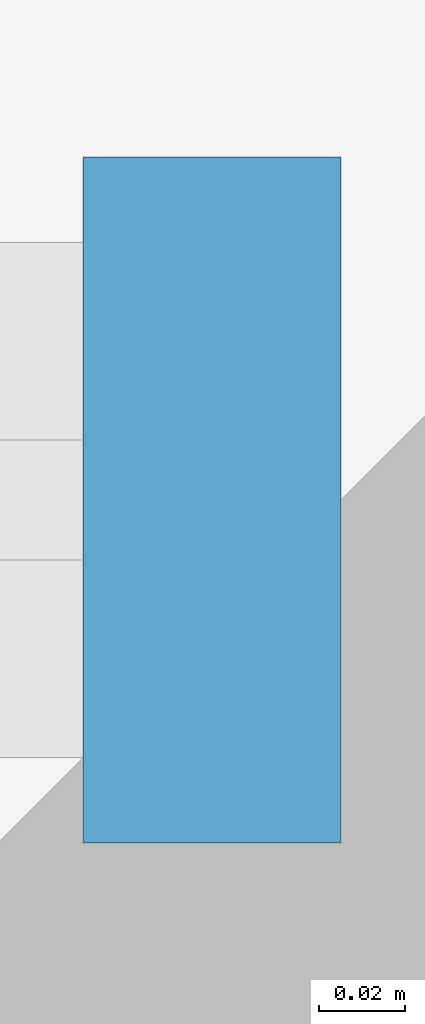
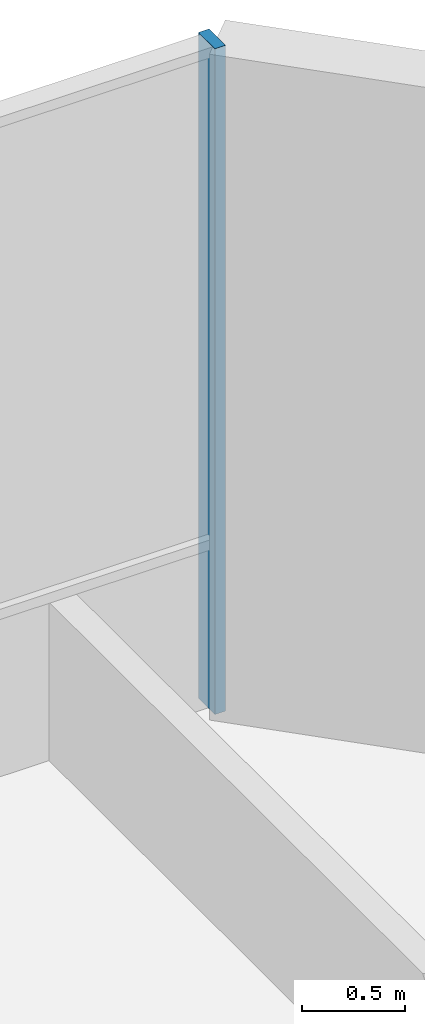
# One storey, part 5 of 13: 1 member, 1 element without a shape of its own.
"""IFC4 building model written with IfcOpenShell, lengths in metres."""

from ifc_helpers import new_model, si_unit, direction, frame, origin, origin_2d, place, context, subcontext, project, spatial, rectangle, extrude, material, material_profile, profile_set, type_object, element, aggregate, save


model = new_model("IFC4")

# Units and contexts
model_context = context("Model", 3, precision=1e-05, world=origin(), true_north=direction((0.0, 1.0)))
body_context = subcontext(model_context, "Body", "Model", "MODEL_VIEW")
ifc_project = project(units=[si_unit("LENGTHUNIT", "METRE"), si_unit("AREAUNIT", "SQUARE_METRE"), si_unit("VOLUMEUNIT", "CUBIC_METRE"), si_unit("PLANEANGLEUNIT", "RADIAN"), si_unit("MASSUNIT", "GRAM", prefix="KILO")], contexts=[model_context])

# Site, building, storey
site_placement = place(None, origin())
site = spatial("IfcSite", under=ifc_project, at=site_placement, CompositionType="ELEMENT")
building_placement = place(site_placement, origin())
building = spatial("IfcBuilding", under=site, at=building_placement, Name="Mangrove Gate Tower", CompositionType="ELEMENT")
storey_placement = place(building_placement, frame((0.0, 0.0, 20.5)))
storey = spatial("IfcBuildingStorey", under=building, at=storey_placement, Name="L04", CompositionType="ELEMENT", Elevation=20.5)

# Curtain wall, member
ifc_material_1 = material(Name="Aluminium and glass curtain wall", Category="aluminium")
curtain_wall_type = type_object("IfcCurtainWallType", Name="Podium amenity glazing wall", PredefinedType="NOTDEFINED", material=ifc_material_1)
curtain_wall_placement = place(storey_placement, origin())
curtain_wall = element("IfcCurtainWall", 1, at=curtain_wall_placement, inside=storey, type_object=curtain_wall_type, Name="Podium amenity glazing N3", PredefinedType="NOTDEFINED")
ifc_material_2 = material(Name="Aluminium alloy 6063-T6", Category="aluminium")
ifc_material_profile = material_profile(ifc_material_2, rectangle(XDim=0.06005859375, YDim=0.159912109375, at=origin_2d()))
ifc_profile_set = profile_set([ifc_material_profile], Name="Aluminium alloy 6063-T6")
member_type = type_object("IfcMemberType", Name="Podium amenity glazing mullion 60x160", PredefinedType="MULLION", material=ifc_profile_set)
member_placement = place(storey_placement, frame((28.10791015625, 30.85009765625, 0.0), z_axis=(0.0, 0.0, 1.0), x_axis=(-1.0, 0.0, 0.0)))
member = element("IfcMember", 2, at=member_placement, type_object=member_type, Name="CWP mullion 1", PredefinedType="MULLION", context=body_context, shape_type="SweptSolid", body=[
    extrude(rectangle(XDim=0.06005859375, YDim=0.159912109375, at=origin_2d()), origin(), (0.0, 0.0, 1.0), 3.949951171875),
])
aggregate(curtain_wall, [member])

save(model, "model.ifc")
